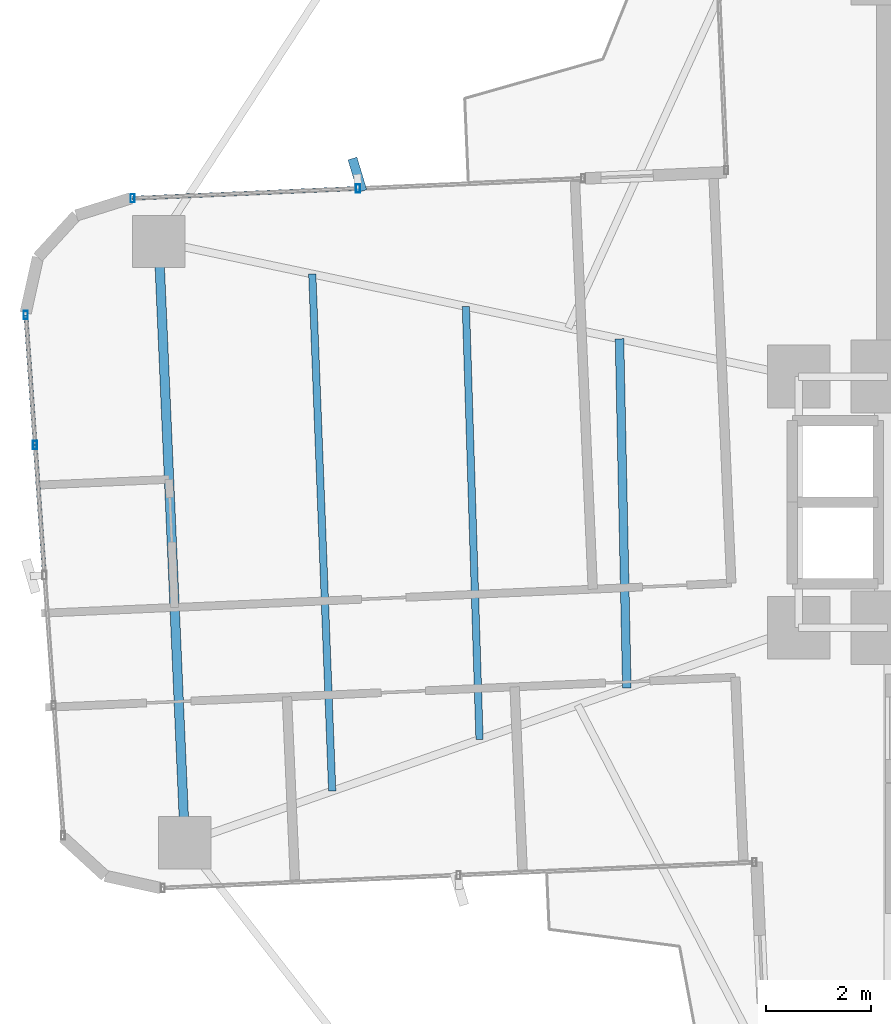
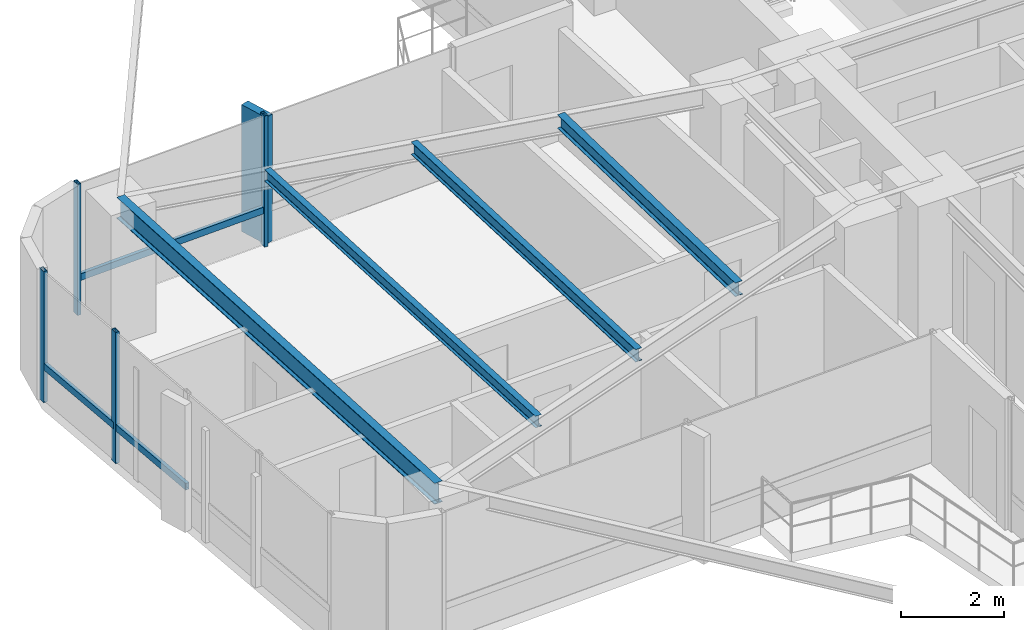
# One storey, part 9 of 26: 8 members, 4 beams, 2 elements without a shape of their own.
"""IFC4 building model written with IfcOpenShell, lengths in metres."""

import ifcopenshell
import ifcopenshell.guid

model = None  # the IFC model being written
_history = None  # IfcOwnerHistory: only IFC2X3 demands one
_inside = {}  # id of a spatial element -> (the spatial element, [elements in it])
_under = {}  # id of a project, library or spatial element -> (it, [spatial elements below it])
_declared = {}  # id of a project -> (the project, [libraries it declares])
_typed = {}  # id of a type object -> (the type object, [elements of that type])
_made_of = {}  # id of a material, layer set ... -> (it, [elements and type objects made of it])


def new_model(schema):
    """Start an empty IFC model of exactly this schema.

    Asked for "IFC4X3", IfcOpenShell would pick the latest addendum, in which some entities
    have other attributes; the version numbers below select the first issue.
    IFC2X3 requires an IfcOwnerHistory on every rooted entity: one is made here for all.
    """
    global model, _history
    if schema == "IFC4X3":
        model = ifcopenshell.file(schema_version=(4, 3, 0, 0))
    else:
        model = ifcopenshell.file(schema=schema)
    _inside.clear()
    _under.clear()
    _declared.clear()
    _typed.clear()
    _made_of.clear()
    _history = None
    if model.schema == "IFC2X3":
        org = make("IfcOrganization", Name="unknown")
        user = make(
            "IfcPersonAndOrganization",
            ThePerson=make("IfcPerson", FamilyName="unknown"),
            TheOrganization=org,
        )
        app = make(
            "IfcApplication",
            ApplicationDeveloper=org,
            Version="unknown",
            ApplicationFullName="unknown",
            ApplicationIdentifier="unknown",
        )
        _history = make(
            "IfcOwnerHistory",
            OwningUser=user,
            OwningApplication=app,
            ChangeAction="ADDED",
            CreationDate=0,
        )
    return model


def make(cls, **values):
    """One entity of the class cls with the attributes given. An attribute that is None is left unset."""
    return model.create_entity(
        cls, **{name: value for name, value in values.items() if value is not None}
    )


def rooted(cls, **values):
    """An entity with a GlobalId (a new one), such as an element, a storey or a relation."""
    return make(cls, GlobalId=ifcopenshell.guid.new(), OwnerHistory=_history, **values)


def si_unit(unit_type, name, prefix=None):
    """IfcSIUnit, for example si_unit("LENGTHUNIT", "METRE", prefix="MILLI")."""
    return make("IfcSIUnit", UnitType=unit_type, Prefix=prefix, Name=name)


def assignment(units):
    """IfcUnitAssignment: the units of a project."""
    return None if units is None else make("IfcUnitAssignment", Units=units)


def point(xyz):
    """IfcCartesianPoint."""
    return None if xyz is None else make("IfcCartesianPoint", Coordinates=xyz)


def direction(xyz):
    """IfcDirection."""
    return None if xyz is None else make("IfcDirection", DirectionRatios=xyz)


def frame(location, z_axis=None, x_axis=None):
    """IfcAxis2Placement3D, a coordinate frame: its origin and axes. An axis left out is left unset."""
    return make(
        "IfcAxis2Placement3D",
        Location=point(location),
        Axis=direction(z_axis),
        RefDirection=direction(x_axis),
    )


def frame_2d(location, x_axis=None):
    """IfcAxis2Placement2D, a coordinate frame in the plane: its origin and x axis."""
    return make(
        "IfcAxis2Placement2D", Location=point(location), RefDirection=direction(x_axis)
    )


def origin():
    """The frame at (0, 0, 0) with its axes left unset."""
    return frame((0.0, 0.0, 0.0))


def origin_2d():
    """The frame at (0, 0) in the plane with its x axis left unset."""
    return frame_2d((0.0, 0.0))


def place(relative_to, where):
    """IfcLocalPlacement: puts the frame where relative to a parent placement (None: the world)."""
    return make(
        "IfcLocalPlacement", PlacementRelTo=relative_to, RelativePlacement=where
    )


def context(
    kind, dimensions, precision=None, world=None, true_north=None, identifier=None
):
    """IfcGeometricRepresentationContext, for example the 3D "Model" context."""
    return make(
        "IfcGeometricRepresentationContext",
        ContextIdentifier=identifier,
        ContextType=kind,
        CoordinateSpaceDimension=dimensions,
        Precision=precision,
        WorldCoordinateSystem=world,
        TrueNorth=true_north,
    )


def subcontext(parent, identifier, kind, view, scale=None):
    """IfcGeometricRepresentationSubContext, for example "Body" below "Model"."""
    return make(
        "IfcGeometricRepresentationSubContext",
        ContextIdentifier=identifier,
        ContextType=kind,
        ParentContext=parent,
        TargetScale=scale,
        TargetView=view,
    )


def project(units=None, contexts=None):
    """IfcProject with its units and contexts."""
    return rooted(
        "IfcProject",
        Name="project",
        RepresentationContexts=contexts,
        UnitsInContext=assignment(units),
    )


def spatial(cls, under=None, at=None, **own):
    """A site, building, storey or space (cls), placed at a placement, below another one or the project."""
    s = rooted(cls, ObjectPlacement=at, **own)
    if under is not None:
        _under.setdefault(under.id(), (under, []))[1].append(s)
    return s


def profile(cls, at=None, kind="AREA", **sizes):
    """A parametric profile (cls). Its sizes go by their IFC names, for example OverallWidth=200.0."""
    return make(cls, ProfileType=kind, Position=at, **sizes)


def rectangle(**sizes):
    """IfcRectangleProfileDef."""
    return profile("IfcRectangleProfileDef", **sizes)


def hollow_rectangle(**sizes):
    """IfcRectangleHollowProfileDef."""
    return profile("IfcRectangleHollowProfileDef", **sizes)


def i_section(**sizes):
    """IfcIShapeProfileDef."""
    return profile("IfcIShapeProfileDef", **sizes)


def extrude(swept, where, along, depth):
    """IfcExtrudedAreaSolid: the profile swept, set in the frame where, extruded along a direction by depth."""
    return make(
        "IfcExtrudedAreaSolid",
        SweptArea=swept,
        Position=where,
        ExtrudedDirection=direction(along),
        Depth=depth,
    )


def shape(context_of_items, identifier, shape_type, items):
    """IfcShapeRepresentation: the items that make up one representation, for example the "Body"."""
    return make(
        "IfcShapeRepresentation",
        ContextOfItems=context_of_items,
        RepresentationIdentifier=identifier,
        RepresentationType=shape_type,
        Items=items,
    )


def source(mapping_origin, context_of_items, identifier, shape_type, items):
    """IfcRepresentationMap: a shape defined once, which mapped items show again and again."""
    return make(
        "IfcRepresentationMap",
        MappingOrigin=mapping_origin,
        MappedRepresentation=shape(context_of_items, identifier, shape_type, items),
    )


def transform(
    local_origin,
    x_axis=None,
    y_axis=None,
    z_axis=None,
    scale=None,
    scale2=None,
    scale3=None,
    uniform=True,
):
    """IfcCartesianTransformationOperator3D, or its non-uniform kind. x_axis, y_axis, z_axis: its Axis1, 2, 3."""
    if uniform:
        return make(
            "IfcCartesianTransformationOperator3D",
            Axis1=direction(x_axis),
            Axis2=direction(y_axis),
            LocalOrigin=point(local_origin),
            Scale=scale,
            Axis3=direction(z_axis),
        )
    return make(
        "IfcCartesianTransformationOperator3DnonUniform",
        Axis1=direction(x_axis),
        Axis2=direction(y_axis),
        LocalOrigin=point(local_origin),
        Scale=scale,
        Axis3=direction(z_axis),
        Scale2=scale2,
        Scale3=scale3,
    )


def mapped(mapping_source, mapping_target):
    """IfcMappedItem: shows the shape of a source again, moved by a transform."""
    return make(
        "IfcMappedItem", MappingSource=mapping_source, MappingTarget=mapping_target
    )


def material(Name=None, Category=None):
    """IfcMaterial."""
    return make("IfcMaterial", Name=Name, Category=Category)


def material_profile(
    of_material, cross_section, Name=None, Category=None, Priority=None
):
    """IfcMaterialProfile: a cross section and its material."""
    return make(
        "IfcMaterialProfile",
        Name=Name,
        Material=of_material,
        Profile=cross_section,
        Priority=Priority,
        Category=Category,
    )


def profile_set(profiles, Name=None, composite=None):
    """IfcMaterialProfileSet."""
    return make(
        "IfcMaterialProfileSet",
        Name=Name,
        MaterialProfiles=profiles,
        CompositeProfile=composite,
    )


def made_of(thing, what):
    """Note that an element or type object is made of a material, layer set ...; save() writes the relation."""
    if what is not None:
        _made_of.setdefault(what.id(), (what, []))[1].append(thing)
    return thing


def type_object(cls, material=None, **own):
    """A type object (cls), such as IfcWallType, which elements share."""
    return made_of(rooted(cls, **own), material)


def element(
    cls,
    number,
    at=None,
    inside=None,
    cuts=None,
    type_object=None,
    material=None,
    context=None,
    identifier="Body",
    shape_type=None,
    held_by="IfcProductDefinitionShape",
    body=None,
    shapes=None,
    **own,
):
    """One element of the class cls, such as IfcWall. Its Tag is "e" and its number.

    at: its placement. inside: the storey or other place that contains it. cuts: it is an
    opening in that element (IfcRelVoidsElement). A single representation is given by context,
    identifier, shape_type and body (its items); several are given by shapes. held_by: the class
    of the entity that holds the representations. save() writes the other relations.
    """
    e = rooted(cls, Tag="e%d" % number, ObjectPlacement=at, **own)
    if body is not None:
        shapes = [shape(context, identifier, shape_type, body)]
    if shapes is not None:
        e.Representation = make(held_by, Representations=shapes)
    if inside is not None:
        _inside.setdefault(inside.id(), (inside, []))[1].append(e)
    if cuts is not None:
        rooted(
            "IfcRelVoidsElement", RelatingBuildingElement=cuts, RelatedOpeningElement=e
        )
    if type_object is not None:
        _typed.setdefault(type_object.id(), (type_object, []))[1].append(e)
    return made_of(e, material)


def aggregate(whole, parts):
    """IfcRelAggregates: a whole, such as a stair, and the parts it consists of."""
    return rooted("IfcRelAggregates", RelatingObject=whole, RelatedObjects=parts)


def save(model, path):
    """Write the relations noted so far, then the file.

    IfcRelAggregates (storeys below a building ...), IfcRelContainedInSpatialStructure (elements
    in a storey), IfcRelDefinesByType, IfcRelAssociatesMaterial and IfcRelDeclares: one each for
    every whole, place, type object, material and project.
    """
    for whole, parts in _under.values():
        aggregate(whole, parts)
    for where, things in _inside.values():
        rooted(
            "IfcRelContainedInSpatialStructure",
            RelatedElements=things,
            RelatingStructure=where,
        )
    for kind, things in _typed.values():
        rooted("IfcRelDefinesByType", RelatedObjects=things, RelatingType=kind)
    for what, things in _made_of.values():
        rooted("IfcRelAssociatesMaterial", RelatedObjects=things, RelatingMaterial=what)
    for by, libraries in _declared.values():
        rooted("IfcRelDeclares", RelatingContext=by, RelatedDefinitions=libraries)
    model.write(path)


model = new_model("IFC4")

# Units and contexts
model_context = context("Model", 3, precision=1e-05, world=origin(), true_north=direction((0.0, 1.0)))
body_context = subcontext(model_context, "Body", "Model", "MODEL_VIEW")
ifc_project = project(units=[si_unit("LENGTHUNIT", "METRE"), si_unit("AREAUNIT", "SQUARE_METRE"), si_unit("VOLUMEUNIT", "CUBIC_METRE"), si_unit("PLANEANGLEUNIT", "RADIAN"), si_unit("MASSUNIT", "GRAM", prefix="KILO")], contexts=[model_context])

# Site, building, storey
site_placement = place(None, origin())
site = spatial("IfcSite", under=ifc_project, at=site_placement, CompositionType="ELEMENT")
building_placement = place(site_placement, origin())
building = spatial("IfcBuilding", under=site, at=building_placement, Name="Sahyath Konkavel Grand Hotel", CompositionType="ELEMENT")
storey_placement = place(building_placement, frame((0.0, 0.0, 114.800048828125)))
storey = spatial("IfcBuildingStorey", under=building, at=storey_placement, Name="L31", CompositionType="ELEMENT", Elevation=114.800048828125)

# Beams
ifc_material_1 = material(Name="Steel E350", Category="steel")
ifc_material_profile_1 = material_profile(ifc_material_1, i_section(OverallWidth=0.179931640625, OverallDepth=0.5, WebThickness=0.01025390625, FlangeThickness=0.01708984375, FilletRadius=0.01708984375, at=origin_2d()), Name="ISMB 500")
ifc_profile_set_1 = profile_set([ifc_material_profile_1], Name="Steel E350")
beam_type_1 = type_object("IfcBeamType", Name="BM-ISMB500", PredefinedType="BEAM", material=ifc_profile_set_1)
shared_shape_1 = source(origin(), body_context, "Body", "SweptSolid", [
    extrude(i_section(OverallWidth=0.179931640625, OverallDepth=0.5, WebThickness=0.01025390625, FlangeThickness=0.01708984375, FilletRadius=0.01708984375, at=origin_2d()), origin(), (0.0, 0.0, 1.0), 11.5),
])
beam_1_placement = place(storey_placement, frame((-17.734130859375, 4.981201171875, 2.85986328125), z_axis=(0.043627008892, -0.99904788879, 0.0), x_axis=(0.99904788879, 0.043627008892, 0.0)))
element("IfcBeam", 1, at=beam_1_placement, inside=storey, type_object=beam_type_1, Name="L31 Wing Tip Edge Beam W", PredefinedType="BEAM", context=body_context, shape_type="MappedRepresentation", body=[
    mapped(shared_shape_1, transform((0.0, 0.0, 0.0), scale=1.0)),
])
ifc_material_profile_2 = material_profile(ifc_material_1, i_section(OverallWidth=0.1650390625, OverallDepth=0.324951171875, WebThickness=0.007080078125, FlangeThickness=0.009765625, FilletRadius=0.014892578125, at=origin_2d()), Name="ISLB 325")
ifc_profile_set_2 = profile_set([ifc_material_profile_2], Name="Steel E350")
beam_type_2 = type_object("IfcBeamType", Name="BM-ISLB325", PredefinedType="BEAM", material=ifc_profile_set_2)
shared_shape_2 = source(origin(), body_context, "Body", "SweptSolid", [
    extrude(i_section(OverallWidth=0.1650390625, OverallDepth=0.324951171875, WebThickness=0.007080078125, FlangeThickness=0.009765625, FilletRadius=0.014892578125, at=origin_2d()), origin(), (0.0, 0.0, 1.0), 6.674560546875),
])
beam_2_placement = place(storey_placement, frame((-8.925537109375, 3.122802734375, 2.947509765625), z_axis=(0.021032188543, -0.999778799058, 0.0), x_axis=(0.999778799058, 0.021032188543, 0.0)))
element("IfcBeam", 2, at=beam_2_placement, inside=storey, type_object=beam_type_2, Name="L31 Secondary Floor Beam W-1", PredefinedType="BEAM", context=body_context, shape_type="MappedRepresentation", body=[
    mapped(shared_shape_2, transform((0.0, 0.0, 0.0), scale=1.0)),
])
ifc_material_profile_3 = material_profile(ifc_material_1, i_section(OverallWidth=0.139892578125, OverallDepth=0.300048828125, WebThickness=0.0078125, FlangeThickness=0.01318359375, FilletRadius=0.013916015625, at=origin_2d()), Name="ISMB 300")
ifc_profile_set_3 = profile_set([ifc_material_profile_3], Name="Steel E350")
beam_type_3 = type_object("IfcBeamType", Name="BM-ISMB300", PredefinedType="BEAM", material=ifc_profile_set_3)
shared_shape_3 = source(origin(), body_context, "Body", "SweptSolid", [
    extrude(i_section(OverallWidth=0.139892578125, OverallDepth=0.300048828125, WebThickness=0.0078125, FlangeThickness=0.01318359375, FilletRadius=0.013916015625, at=origin_2d()), origin(), (0.0, 0.0, 1.0), 8.282470703125),
])
beam_3_placement = place(storey_placement, frame((-11.86181640625, 3.7421875, 2.9599609375), z_axis=(0.031510827707, -0.999503410568, 0.0), x_axis=(0.999503410568, 0.031510827707, 0.0)))
element("IfcBeam", 3, at=beam_3_placement, inside=storey, type_object=beam_type_3, Name="L31 Secondary Floor Beam W-2", PredefinedType="BEAM", context=body_context, shape_type="MappedRepresentation", body=[
    mapped(shared_shape_3, transform((0.0, 0.0, 0.0), scale=1.0)),
])
ifc_material_profile_4 = material_profile(ifc_material_1, i_section(OverallWidth=0.139892578125, OverallDepth=0.27490234375, WebThickness=0.00634765625, FlangeThickness=0.0087890625, FilletRadius=0.012939453125, at=origin_2d()), Name="ISLB 275")
ifc_profile_set_4 = profile_set([ifc_material_profile_4], Name="Steel E350")
beam_type_4 = type_object("IfcBeamType", Name="BM-ISLB275", PredefinedType="BEAM", material=ifc_profile_set_4)
shared_shape_4 = source(origin(), body_context, "Body", "SweptSolid", [
    extrude(i_section(OverallWidth=0.139892578125, OverallDepth=0.27490234375, WebThickness=0.00634765625, FlangeThickness=0.0087890625, FilletRadius=0.012939453125, at=origin_2d()), origin(), (0.0, 0.0, 1.0), 9.89111328125),
])
beam_4_placement = place(storey_placement, frame((-14.798095703125, 4.36181640625, 2.972412109375), z_axis=(0.03855445741, -0.999256500511, 0.0), x_axis=(0.999256500511, 0.03855445741, 0.0)))
element("IfcBeam", 4, at=beam_4_placement, inside=storey, type_object=beam_type_4, Name="L31 Secondary Floor Beam W-3", PredefinedType="BEAM", context=body_context, shape_type="MappedRepresentation", body=[
    mapped(shared_shape_4, transform((0.0, 0.0, 0.0), scale=1.0)),
])

# Curtain wall, members
ifc_material_2 = material(Name="Anodised Bronze Aluminium & Low-E Glazing", Category="aluminium")
curtain_wall_type = type_object("IfcCurtainWallType", Name="CW-ZONE2", PredefinedType="NOTDEFINED", material=ifc_material_2)
curtain_wall_1_placement = place(storey_placement, origin())
curtain_wall_1 = element("IfcCurtainWall", 5, at=curtain_wall_1_placement, inside=storey, type_object=curtain_wall_type, Name="L31 Unitised Curtain Wall F16", PredefinedType="NOTDEFINED")
ifc_material_3 = material(Name="Anodised Bronze Aluminium", Category="aluminium")
ifc_material_profile_5 = material_profile(ifc_material_3, hollow_rectangle(XDim=0.080078125, YDim=0.159912109375, WallThickness=0.006103515625, at=origin_2d()), Name="RHS 160x80x6")
ifc_profile_set_5 = profile_set([ifc_material_profile_5], Name="Anodised Bronze Aluminium")
member_type_1 = type_object("IfcMemberType", Name="CW-MUL-160", PredefinedType="MULLION", material=ifc_profile_set_5)
shared_shape_5 = source(origin(), body_context, "Body", "SweptSolid", [
    extrude(hollow_rectangle(XDim=0.080078125, YDim=0.159912109375, WallThickness=0.006103515625, at=origin_2d()), origin(), (0.0, 0.0, 1.0), 3.10986328125),
])
member_1_placement = place(storey_placement, frame((-13.9248046875, 5.998291015625, 0.0), z_axis=(0.0, 0.0, 1.0), x_axis=(1.0, 0.0, 0.0)))
member_1 = element("IfcMember", 6, at=member_1_placement, type_object=member_type_1, Name="L31 Curtain Wall Mullion F16-1", PredefinedType="MULLION", context=body_context, shape_type="MappedRepresentation", body=[
    mapped(shared_shape_5, transform((0.0, 0.0, 0.0), scale=1.0)),
])
member_2_placement = place(storey_placement, frame((-18.230712890625, 5.810302734375, 0.0), z_axis=(0.0, 0.0, 1.0), x_axis=(1.0, 0.0, 0.0)))
member_2 = element("IfcMember", 7, at=member_2_placement, type_object=member_type_1, Name="L31 Curtain Wall Mullion F16-2", PredefinedType="MULLION", context=body_context, shape_type="MappedRepresentation", body=[
    mapped(shared_shape_5, transform((0.0, 0.0, 0.0), scale=1.0)),
])

curtain_wall_2_placement = place(storey_placement, origin())
curtain_wall_2 = element("IfcCurtainWall", 8, at=curtain_wall_2_placement, inside=storey, type_object=curtain_wall_type, Name="L31 Unitised Curtain Wall F20", PredefinedType="NOTDEFINED")
member_3_placement = place(storey_placement, frame((-20.2744140625, 3.5791015625, 0.0), z_axis=(0.0, 0.0, 1.0), x_axis=(1.0, 0.0, 0.0)))
member_3 = element("IfcMember", 9, at=member_3_placement, type_object=member_type_1, Name="L31 Curtain Wall Mullion F20-0", PredefinedType="MULLION", context=body_context, shape_type="MappedRepresentation", body=[
    mapped(shared_shape_5, transform((0.0, 0.0, 0.0), scale=1.0)),
])
member_4_placement = place(storey_placement, frame((-20.095947265625, 1.092041015625, 0.0), z_axis=(0.0, 0.0, 1.0), x_axis=(1.0, 0.0, 0.0)))
member_4 = element("IfcMember", 10, at=member_4_placement, type_object=member_type_1, Name="L31 Curtain Wall Mullion F20-1", PredefinedType="MULLION", context=body_context, shape_type="MappedRepresentation", body=[
    mapped(shared_shape_5, transform((0.0, 0.0, 0.0), scale=1.0)),
])

# Member
ifc_material_4 = material(Name="Warm Buff Sandstone Cladding on Concrete C50/60", Category="masonry")
ifc_material_profile_6 = material_profile(ifc_material_4, rectangle(XDim=0.179931640625, YDim=0.64990234375, at=origin_2d()), Name="FIN 180x650")
ifc_profile_set_6 = profile_set([ifc_material_profile_6], Name="Warm Buff Sandstone Cladding on Concrete C50/60")
member_type_2 = type_object("IfcMemberType", Name="FIN-SANDSTONE-650", PredefinedType="MULLION", material=ifc_profile_set_6)
shared_shape_6 = source(origin(), body_context, "Body", "SweptSolid", [
    extrude(rectangle(XDim=0.179931640625, YDim=0.64990234375, at=origin_2d()), origin(), (0.0, 0.0, 1.0), 3.010009765625),
])
member_5_placement = place(storey_placement, frame((-13.936279296875, 6.258056640625, 0.050048828125), z_axis=(0.0, 0.0, 1.0), x_axis=(0.957621645958, 0.288029136015, 0.0)))
member_5 = element("IfcMember", 11, at=member_5_placement, type_object=member_type_2, Name="L31 Sandstone Vertical Solar Fin FIN F16-1", PredefinedType="MULLION", context=body_context, shape_type="MappedRepresentation", body=[
    mapped(shared_shape_6, transform((0.0, 0.0, 0.0), scale=1.0)),
])

ifc_material_profile_7 = material_profile(ifc_material_3, hollow_rectangle(XDim=0.080078125, YDim=0.159912109375, WallThickness=0.006103515625, at=origin_2d()), Name="RHS 160x80x6")
ifc_profile_set_7 = profile_set([ifc_material_profile_7], Name="Anodised Bronze Aluminium")
member_type_3 = type_object("IfcMemberType", Name="CW-TRN-160", PredefinedType="USERDEFINED", material=ifc_profile_set_7)
shared_shape_7 = source(origin(), body_context, "Body", "SweptSolid", [
    extrude(hollow_rectangle(XDim=0.080078125, YDim=0.159912109375, WallThickness=0.006103515625, at=origin_2d()), origin(), (0.0, 0.0, 1.0), 4.31005859375),
])
member_6_placement = place(storey_placement, frame((-13.9248046875, 5.998291015625, 0.849853515625), z_axis=(-0.999048340188, -0.043616670746, 0.0), x_axis=(0.043616670746, -0.999048340188, 0.0)))
member_6 = element("IfcMember", 12, at=member_6_placement, type_object=member_type_3, Name="L31 Curtain Wall Transom F16-1-spandrel", ObjectType="TRANSOM", PredefinedType="USERDEFINED", context=body_context, shape_type="MappedRepresentation", body=[
    mapped(shared_shape_7, transform((0.0, 0.0, 0.0), scale=1.0)),
])

aggregate(curtain_wall_1, [member_1, member_5, member_2, member_6])

shared_shape_8 = source(origin(), body_context, "Body", "SweptSolid", [
    extrude(hollow_rectangle(XDim=0.080078125, YDim=0.159912109375, WallThickness=0.006103515625, at=origin_2d()), origin(), (0.0, 0.0, 1.0), 2.493408203125),
])
member_7_placement = place(storey_placement, frame((-20.2744140625, 3.5791015625, 0.849853515625), z_axis=(0.071574084062, -0.997435286367, 0.0), x_axis=(0.997435286367, 0.071574084062, 0.0)))
member_7 = element("IfcMember", 13, at=member_7_placement, type_object=member_type_3, Name="L31 Curtain Wall Transom F20-0-spandrel", ObjectType="TRANSOM", PredefinedType="USERDEFINED", context=body_context, shape_type="MappedRepresentation", body=[
    mapped(shared_shape_8, transform((0.0, 0.0, 0.0), scale=1.0)),
])

member_8_placement = place(storey_placement, frame((-20.095947265625, 1.092041015625, 0.849853515625), z_axis=(0.071574084062, -0.997435286367, 0.0), x_axis=(0.997435286367, 0.071574084062, 0.0)))
member_8 = element("IfcMember", 14, at=member_8_placement, type_object=member_type_3, Name="L31 Curtain Wall Transom F20-1-spandrel", ObjectType="TRANSOM", PredefinedType="USERDEFINED", context=body_context, shape_type="MappedRepresentation", body=[
    mapped(shared_shape_8, transform((0.0, 0.0, 0.0), scale=1.0)),
])

aggregate(curtain_wall_2, [member_3, member_4, member_7, member_8])

save(model, "model.ifc")
